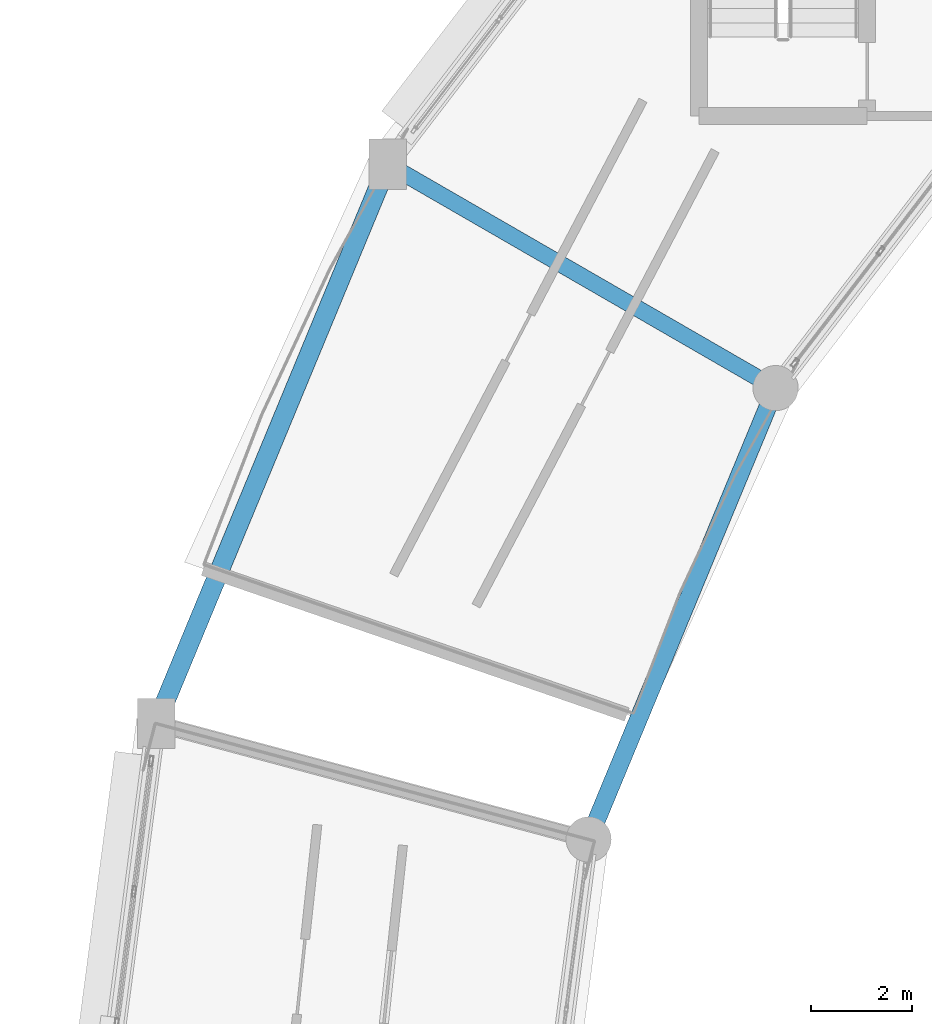
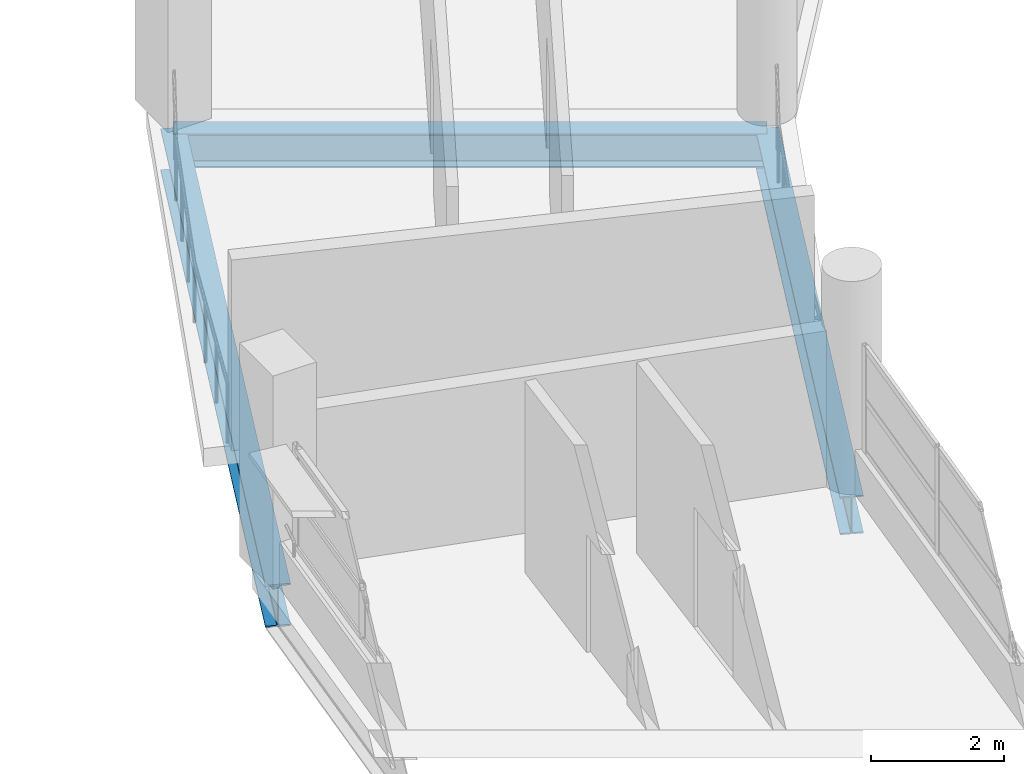
# One storey, part 39 of 121: 3 beams.
"""IFC4 building model written with IfcOpenShell, lengths in metres."""

from ifc_helpers import new_model, si_unit, direction, frame, origin, origin_2d, place, context, subcontext, project, spatial, i_section, extrude, material, material_profile, profile_set, type_object, element, save


model = new_model("IFC4")

# Units and contexts
model_context = context("Model", 3, precision=1e-05, world=origin(), true_north=direction((0.0, 1.0)))
body_context = subcontext(model_context, "Body", "Model", "MODEL_VIEW")
ifc_project = project(units=[si_unit("LENGTHUNIT", "METRE"), si_unit("AREAUNIT", "SQUARE_METRE"), si_unit("VOLUMEUNIT", "CUBIC_METRE"), si_unit("PLANEANGLEUNIT", "RADIAN"), si_unit("MASSUNIT", "GRAM", prefix="KILO")], contexts=[model_context])

# Site, building, storey
site_placement = place(None, origin())
site = spatial("IfcSite", under=ifc_project, at=site_placement, CompositionType="ELEMENT")
building_placement = place(site_placement, origin())
building = spatial("IfcBuilding", under=site, at=building_placement, Name="Vespera Passage Community Centre", CompositionType="ELEMENT")
storey_placement = place(building_placement, frame((0.0, 0.0, 8.699951171875)))
storey = spatial("IfcBuildingStorey", under=building, at=storey_placement, Name="L02", CompositionType="ELEMENT", Elevation=8.699951171875)

# Beams
ifc_material_1 = material(Name="Steel ASTM A992 Grade 50", Category="steel")
ifc_material_profile_1 = material_profile(ifc_material_1, i_section(OverallWidth=0.32763671875, OverallDepth=0.62841796875, WebThickness=0.0166015625, FlangeThickness=0.027587890625, FilletRadius=0.0126953125, at=origin_2d()), Name="W24X146")
ifc_profile_set_1 = profile_set([ifc_material_profile_1], Name="Steel ASTM A992 Grade 50")
beam_type_1 = type_object("IfcBeamType", Name="BM-G-W24X146", PredefinedType="BEAM", material=ifc_profile_set_1)
beam_1_placement = place(storey_placement, frame((45.783935546875, 84.10009765625, -0.654052734375), z_axis=(-0.866031643847, 0.499989191739, 0.0), x_axis=(-0.499989191739, -0.866031643847, 0.0)))
element("IfcBeam", 1, at=beam_1_placement, inside=storey, type_object=beam_type_1, Name="V4 L02 Radial Girder 10", PredefinedType="BEAM", context=body_context, shape_type="SweptSolid", body=[
    extrude(i_section(OverallWidth=0.32763671875, OverallDepth=0.62841796875, WebThickness=0.0166015625, FlangeThickness=0.027587890625, FilletRadius=0.0126953125, at=origin_2d()), origin(), (0.0, 0.0, 1.0), 8.900146484375),
])
ifc_material_2 = material(Name="Steel ASTM A992 Grade 50", Category="steel")
ifc_material_profile_2 = material_profile(ifc_material_2, i_section(OverallWidth=0.3544921875, OverallDepth=0.695556640625, WebThickness=0.015380859375, FlangeThickness=0.024658203125, FilletRadius=0.01513671875, at=origin_2d()), Name="W27X146")
ifc_profile_set_2 = profile_set([ifc_material_profile_2], Name="Steel ASTM A992 Grade 50")
beam_type_2 = type_object("IfcBeamType", Name="BM-SP-W27X146E", PredefinedType="SPANDREL", material=ifc_profile_set_2)
beam_2_placement = place(storey_placement, frame((45.783935546875, 84.10009765625, -0.687744140625), z_axis=(-0.382684844258, -0.923878947685, 0.0), x_axis=(0.923878947685, -0.382684844258, 0.0)))
element("IfcBeam", 2, at=beam_2_placement, inside=storey, type_object=beam_type_2, Name="V4 L02 Inner Spandrel 10", PredefinedType="SPANDREL", context=body_context, shape_type="SweptSolid", body=[
    extrude(i_section(OverallWidth=0.3544921875, OverallDepth=0.695556640625, WebThickness=0.015380859375, FlangeThickness=0.024658203125, FilletRadius=0.01513671875, at=origin_2d()), origin(), (0.0, 0.0, 1.0), 9.711181640625),
])
ifc_material_3 = material(Name="Steel ASTM A992 Grade 50", Category="steel")
ifc_material_profile_3 = material_profile(ifc_material_3, i_section(OverallWidth=0.382080078125, OverallDepth=0.779296875, WebThickness=0.01806640625, FlangeThickness=0.030029296875, FilletRadius=0.0166015625, at=origin_2d()), Name="W30X191")
ifc_profile_set_3 = profile_set([ifc_material_profile_3], Name="Steel ASTM A992 Grade 50")
beam_type_3 = type_object("IfcBeamType", Name="BM-SP-W30X191E", PredefinedType="SPANDREL", material=ifc_profile_set_3)
beam_3_placement = place(storey_placement, frame((38.076171875, 88.550048828125, -0.729736328125), z_axis=(-0.382688629799, -0.923877379647, 0.0), x_axis=(0.923877379647, -0.382688629799, 0.0)))
element("IfcBeam", 3, at=beam_3_placement, inside=storey, type_object=beam_type_3, Name="V4 L02 Outer Spandrel 10", PredefinedType="SPANDREL", context=body_context, shape_type="SweptSolid", body=[
    extrude(i_section(OverallWidth=0.382080078125, OverallDepth=0.779296875, WebThickness=0.01806640625, FlangeThickness=0.030029296875, FilletRadius=0.0166015625, at=origin_2d()), origin(), (0.0, 0.0, 1.0), 12.034423828125),
])

save(model, "model.ifc")
